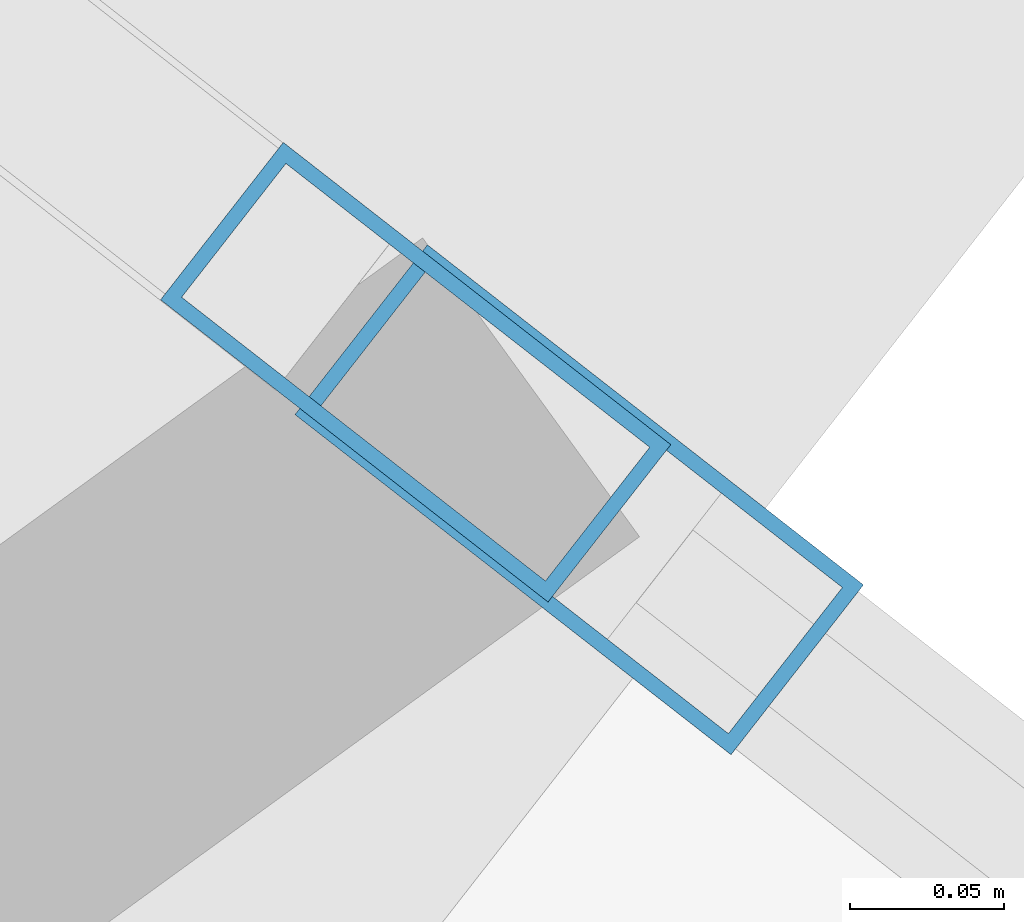
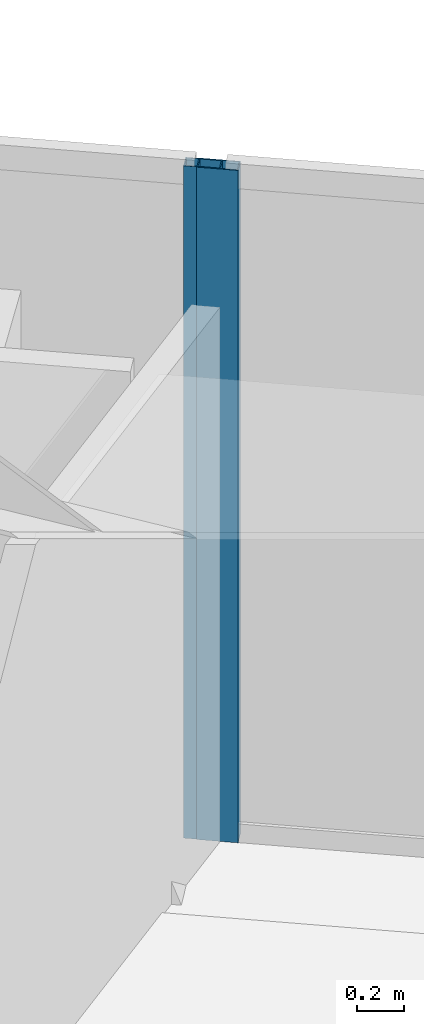
# One storey, part 9 of 23: 2 members, 2 elements without a shape of their own.
"""IFC4 building model written with IfcOpenShell, lengths in metres."""

import ifcopenshell
import ifcopenshell.guid

model = None  # the IFC model being written
_history = None  # IfcOwnerHistory: only IFC2X3 demands one
_inside = {}  # id of a spatial element -> (the spatial element, [elements in it])
_under = {}  # id of a project, library or spatial element -> (it, [spatial elements below it])
_declared = {}  # id of a project -> (the project, [libraries it declares])
_typed = {}  # id of a type object -> (the type object, [elements of that type])
_made_of = {}  # id of a material, layer set ... -> (it, [elements and type objects made of it])


def new_model(schema):
    """Start an empty IFC model of exactly this schema.

    Asked for "IFC4X3", IfcOpenShell would pick the latest addendum, in which some entities
    have other attributes; the version numbers below select the first issue.
    IFC2X3 requires an IfcOwnerHistory on every rooted entity: one is made here for all.
    """
    global model, _history
    if schema == "IFC4X3":
        model = ifcopenshell.file(schema_version=(4, 3, 0, 0))
    else:
        model = ifcopenshell.file(schema=schema)
    _inside.clear()
    _under.clear()
    _declared.clear()
    _typed.clear()
    _made_of.clear()
    _history = None
    if model.schema == "IFC2X3":
        org = make("IfcOrganization", Name="unknown")
        user = make(
            "IfcPersonAndOrganization",
            ThePerson=make("IfcPerson", FamilyName="unknown"),
            TheOrganization=org,
        )
        app = make(
            "IfcApplication",
            ApplicationDeveloper=org,
            Version="unknown",
            ApplicationFullName="unknown",
            ApplicationIdentifier="unknown",
        )
        _history = make(
            "IfcOwnerHistory",
            OwningUser=user,
            OwningApplication=app,
            ChangeAction="ADDED",
            CreationDate=0,
        )
    return model


def make(cls, **values):
    """One entity of the class cls with the attributes given. An attribute that is None is left unset."""
    return model.create_entity(
        cls, **{name: value for name, value in values.items() if value is not None}
    )


def rooted(cls, **values):
    """An entity with a GlobalId (a new one), such as an element, a storey or a relation."""
    return make(cls, GlobalId=ifcopenshell.guid.new(), OwnerHistory=_history, **values)


def si_unit(unit_type, name, prefix=None):
    """IfcSIUnit, for example si_unit("LENGTHUNIT", "METRE", prefix="MILLI")."""
    return make("IfcSIUnit", UnitType=unit_type, Prefix=prefix, Name=name)


def assignment(units):
    """IfcUnitAssignment: the units of a project."""
    return None if units is None else make("IfcUnitAssignment", Units=units)


def point(xyz):
    """IfcCartesianPoint."""
    return None if xyz is None else make("IfcCartesianPoint", Coordinates=xyz)


def direction(xyz):
    """IfcDirection."""
    return None if xyz is None else make("IfcDirection", DirectionRatios=xyz)


def frame(location, z_axis=None, x_axis=None):
    """IfcAxis2Placement3D, a coordinate frame: its origin and axes. An axis left out is left unset."""
    return make(
        "IfcAxis2Placement3D",
        Location=point(location),
        Axis=direction(z_axis),
        RefDirection=direction(x_axis),
    )


def frame_2d(location, x_axis=None):
    """IfcAxis2Placement2D, a coordinate frame in the plane: its origin and x axis."""
    return make(
        "IfcAxis2Placement2D", Location=point(location), RefDirection=direction(x_axis)
    )


def origin():
    """The frame at (0, 0, 0) with its axes left unset."""
    return frame((0.0, 0.0, 0.0))


def origin_2d():
    """The frame at (0, 0) in the plane with its x axis left unset."""
    return frame_2d((0.0, 0.0))


def place(relative_to, where):
    """IfcLocalPlacement: puts the frame where relative to a parent placement (None: the world)."""
    return make(
        "IfcLocalPlacement", PlacementRelTo=relative_to, RelativePlacement=where
    )


def context(
    kind, dimensions, precision=None, world=None, true_north=None, identifier=None
):
    """IfcGeometricRepresentationContext, for example the 3D "Model" context."""
    return make(
        "IfcGeometricRepresentationContext",
        ContextIdentifier=identifier,
        ContextType=kind,
        CoordinateSpaceDimension=dimensions,
        Precision=precision,
        WorldCoordinateSystem=world,
        TrueNorth=true_north,
    )


def subcontext(parent, identifier, kind, view, scale=None):
    """IfcGeometricRepresentationSubContext, for example "Body" below "Model"."""
    return make(
        "IfcGeometricRepresentationSubContext",
        ContextIdentifier=identifier,
        ContextType=kind,
        ParentContext=parent,
        TargetScale=scale,
        TargetView=view,
    )


def project(units=None, contexts=None):
    """IfcProject with its units and contexts."""
    return rooted(
        "IfcProject",
        Name="project",
        RepresentationContexts=contexts,
        UnitsInContext=assignment(units),
    )


def spatial(cls, under=None, at=None, **own):
    """A site, building, storey or space (cls), placed at a placement, below another one or the project."""
    s = rooted(cls, ObjectPlacement=at, **own)
    if under is not None:
        _under.setdefault(under.id(), (under, []))[1].append(s)
    return s


def profile(cls, at=None, kind="AREA", **sizes):
    """A parametric profile (cls). Its sizes go by their IFC names, for example OverallWidth=200.0."""
    return make(cls, ProfileType=kind, Position=at, **sizes)


def hollow_rectangle(**sizes):
    """IfcRectangleHollowProfileDef."""
    return profile("IfcRectangleHollowProfileDef", **sizes)


def extrude(swept, where, along, depth):
    """IfcExtrudedAreaSolid: the profile swept, set in the frame where, extruded along a direction by depth."""
    return make(
        "IfcExtrudedAreaSolid",
        SweptArea=swept,
        Position=where,
        ExtrudedDirection=direction(along),
        Depth=depth,
    )


def shape(context_of_items, identifier, shape_type, items):
    """IfcShapeRepresentation: the items that make up one representation, for example the "Body"."""
    return make(
        "IfcShapeRepresentation",
        ContextOfItems=context_of_items,
        RepresentationIdentifier=identifier,
        RepresentationType=shape_type,
        Items=items,
    )


def material(Name=None, Category=None):
    """IfcMaterial."""
    return make("IfcMaterial", Name=Name, Category=Category)


def layer(
    of_material, thickness, ventilated=None, Name=None, Category=None, Priority=None
):
    """IfcMaterialLayer: one layer of a wall or slab, of a material (None: an air gap)."""
    return make(
        "IfcMaterialLayer",
        Material=of_material,
        LayerThickness=thickness,
        IsVentilated=ventilated,
        Name=Name,
        Category=Category,
        Priority=Priority,
    )


def layer_set(layers, Name=None):
    """IfcMaterialLayerSet."""
    return make("IfcMaterialLayerSet", MaterialLayers=layers, LayerSetName=Name)


def material_profile(
    of_material, cross_section, Name=None, Category=None, Priority=None
):
    """IfcMaterialProfile: a cross section and its material."""
    return make(
        "IfcMaterialProfile",
        Name=Name,
        Material=of_material,
        Profile=cross_section,
        Priority=Priority,
        Category=Category,
    )


def profile_set(profiles, Name=None, composite=None):
    """IfcMaterialProfileSet."""
    return make(
        "IfcMaterialProfileSet",
        Name=Name,
        MaterialProfiles=profiles,
        CompositeProfile=composite,
    )


def made_of(thing, what):
    """Note that an element or type object is made of a material, layer set ...; save() writes the relation."""
    if what is not None:
        _made_of.setdefault(what.id(), (what, []))[1].append(thing)
    return thing


def type_object(cls, material=None, **own):
    """A type object (cls), such as IfcWallType, which elements share."""
    return made_of(rooted(cls, **own), material)


def element(
    cls,
    number,
    at=None,
    inside=None,
    cuts=None,
    type_object=None,
    material=None,
    context=None,
    identifier="Body",
    shape_type=None,
    held_by="IfcProductDefinitionShape",
    body=None,
    shapes=None,
    **own,
):
    """One element of the class cls, such as IfcWall. Its Tag is "e" and its number.

    at: its placement. inside: the storey or other place that contains it. cuts: it is an
    opening in that element (IfcRelVoidsElement). A single representation is given by context,
    identifier, shape_type and body (its items); several are given by shapes. held_by: the class
    of the entity that holds the representations. save() writes the other relations.
    """
    e = rooted(cls, Tag="e%d" % number, ObjectPlacement=at, **own)
    if body is not None:
        shapes = [shape(context, identifier, shape_type, body)]
    if shapes is not None:
        e.Representation = make(held_by, Representations=shapes)
    if inside is not None:
        _inside.setdefault(inside.id(), (inside, []))[1].append(e)
    if cuts is not None:
        rooted(
            "IfcRelVoidsElement", RelatingBuildingElement=cuts, RelatedOpeningElement=e
        )
    if type_object is not None:
        _typed.setdefault(type_object.id(), (type_object, []))[1].append(e)
    return made_of(e, material)


def aggregate(whole, parts):
    """IfcRelAggregates: a whole, such as a stair, and the parts it consists of."""
    return rooted("IfcRelAggregates", RelatingObject=whole, RelatedObjects=parts)


def save(model, path):
    """Write the relations noted so far, then the file.

    IfcRelAggregates (storeys below a building ...), IfcRelContainedInSpatialStructure (elements
    in a storey), IfcRelDefinesByType, IfcRelAssociatesMaterial and IfcRelDeclares: one each for
    every whole, place, type object, material and project.
    """
    for whole, parts in _under.values():
        aggregate(whole, parts)
    for where, things in _inside.values():
        rooted(
            "IfcRelContainedInSpatialStructure",
            RelatedElements=things,
            RelatingStructure=where,
        )
    for kind, things in _typed.values():
        rooted("IfcRelDefinesByType", RelatedObjects=things, RelatingType=kind)
    for what, things in _made_of.values():
        rooted("IfcRelAssociatesMaterial", RelatedObjects=things, RelatingMaterial=what)
    for by, libraries in _declared.values():
        rooted("IfcRelDeclares", RelatingContext=by, RelatedDefinitions=libraries)
    model.write(path)


model = new_model("IFC4")

# Units and contexts
model_context = context("Model", 3, precision=1e-05, world=origin(), true_north=direction((0.0, 1.0)))
body_context = subcontext(model_context, "Body", "Model", "MODEL_VIEW")
ifc_project = project(units=[si_unit("LENGTHUNIT", "METRE"), si_unit("AREAUNIT", "SQUARE_METRE"), si_unit("VOLUMEUNIT", "CUBIC_METRE"), si_unit("PLANEANGLEUNIT", "RADIAN"), si_unit("MASSUNIT", "GRAM", prefix="KILO")], contexts=[model_context])

# Site, building, storey
site_placement = place(None, origin())
site = spatial("IfcSite", under=ifc_project, at=site_placement, CompositionType="ELEMENT")
building_placement = place(site_placement, origin())
building = spatial("IfcBuilding", under=site, at=building_placement, Name="Qianvela Tower", CompositionType="ELEMENT")
storey_placement = place(building_placement, frame((0.0, 0.0, 85.800048828125)))
storey = spatial("IfcBuildingStorey", under=building, at=storey_placement, Name="L21", CompositionType="ELEMENT", Elevation=85.800048828125)

# Curtain wall, member
ifc_material_1 = material(Name="Anodised Architectural Aluminium and Insulated Spandrel Panel", Category="aluminium")
ifc_layer_1 = layer(ifc_material_1, 0.179931640625)
ifc_layer_set_1 = layer_set([ifc_layer_1], Name="Anodised Architectural Aluminium and Insulated Spandrel Panel")
curtain_wall_type_1 = type_object("IfcCurtainWallType", Name="CW-BRACEBAY", PredefinedType="USERDEFINED", material=ifc_layer_set_1)
curtain_wall_1_placement = place(storey_placement, origin())
curtain_wall_1 = element("IfcCurtainWall", 1, at=curtain_wall_1_placement, inside=storey, type_object=curtain_wall_type_1, Name="L21 CW-BRACEBAY Curtain Wall 02B", ObjectType="CURTAIN_WALL_SYSTEM", PredefinedType="USERDEFINED")
ifc_material_2 = material(Name="Anodised Architectural Aluminium 6063-T6", Category="aluminium")
ifc_material_profile_1 = material_profile(ifc_material_2, hollow_rectangle(XDim=0.06494140625, YDim=0.159912109375, WallThickness=0.0048828125, at=origin_2d()), Name="ALU-MULL-65x160")
ifc_profile_set_1 = profile_set([ifc_material_profile_1], Name="Anodised Architectural Aluminium 6063-T6")
member_type_1 = type_object("IfcMemberType", Name="CW-BRACEBAY-MULL", PredefinedType="MULLION", material=ifc_profile_set_1)
member_1_placement = place(storey_placement, frame((48.302978515625, 34.00439453125, 0.0), z_axis=(0.0, 0.0, 1.0), x_axis=(-0.615006928678, -0.788521704, 0.0)))
member_1 = element("IfcMember", 2, at=member_1_placement, type_object=member_type_1, Name="CW-9 mullion 1", PredefinedType="MULLION", context=body_context, shape_type="SweptSolid", body=[
    extrude(hollow_rectangle(XDim=0.06494140625, YDim=0.159912109375, WallThickness=0.0048828125, at=origin_2d()), origin(), (0.0, 0.0, 1.0), 3.52001953125),
])
aggregate(curtain_wall_1, [member_1])

ifc_material_3 = material(Name="Anodised Architectural Aluminium and Low-E Glass", Category="aluminium")
ifc_layer_2 = layer(ifc_material_3, 0.179931640625)
ifc_layer_set_2 = layer_set([ifc_layer_2], Name="Anodised Architectural Aluminium and Low-E Glass")
curtain_wall_type_2 = type_object("IfcCurtainWallType", Name="CW-COLIV-Z12", PredefinedType="USERDEFINED", material=ifc_layer_set_2)
curtain_wall_2_placement = place(storey_placement, origin())
curtain_wall_2 = element("IfcCurtainWall", 3, at=curtain_wall_2_placement, inside=storey, type_object=curtain_wall_type_2, Name="L21 CW-COLIV-Z12 Curtain Wall 02A", ObjectType="CURTAIN_WALL_SYSTEM", PredefinedType="USERDEFINED")
ifc_material_4 = material(Name="Anodised Architectural Aluminium 6063-T6", Category="aluminium")
ifc_material_profile_2 = material_profile(ifc_material_4, hollow_rectangle(XDim=0.070068359375, YDim=0.179931640625, WallThickness=0.0048828125, at=origin_2d()), Name="ALU-MULL-70x180")
ifc_profile_set_2 = profile_set([ifc_material_profile_2], Name="Anodised Architectural Aluminium 6063-T6")
member_type_2 = type_object("IfcMemberType", Name="CW-COLIV-Z12-MULL", PredefinedType="MULLION", material=ifc_profile_set_2)
member_2_placement = place(storey_placement, frame((48.356201171875, 33.962890625, 0.0), z_axis=(0.0, 0.0, 1.0), x_axis=(-0.615013700656, -0.788516422153, 0.0)))
member_2 = element("IfcMember", 4, at=member_2_placement, type_object=member_type_2, Name="CW-3 mullion 3", PredefinedType="MULLION", context=body_context, shape_type="SweptSolid", body=[
    extrude(hollow_rectangle(XDim=0.070068359375, YDim=0.179931640625, WallThickness=0.0048828125, at=origin_2d()), origin(), (0.0, 0.0, 1.0), 3.52001953125),
])
aggregate(curtain_wall_2, [member_2])

save(model, "model.ifc")
